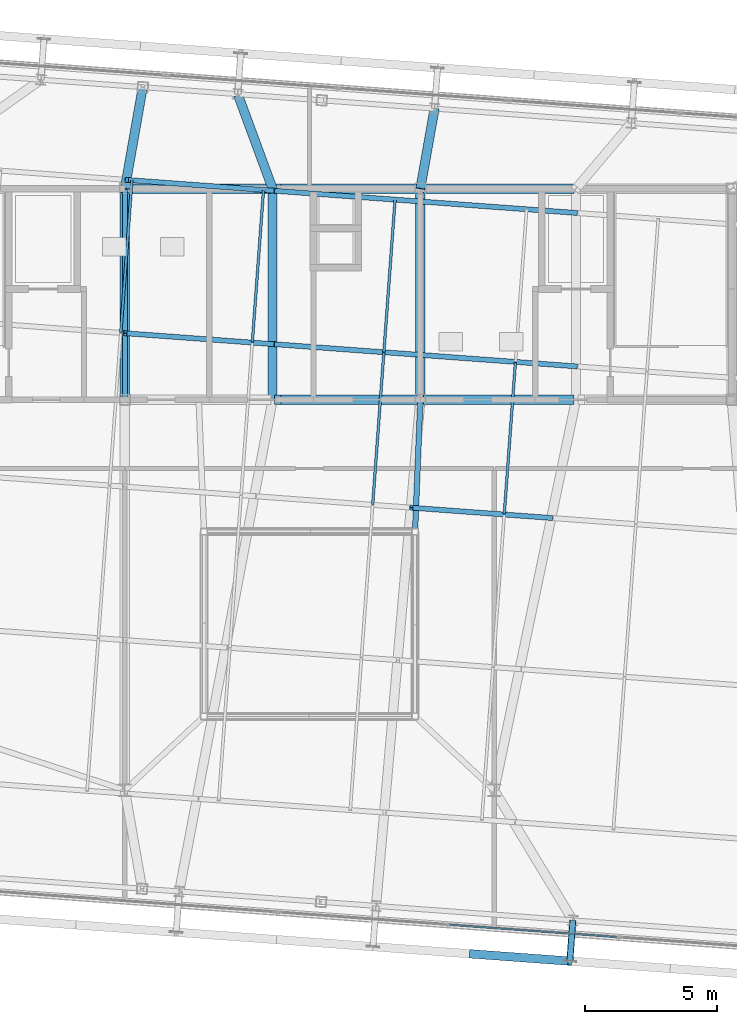
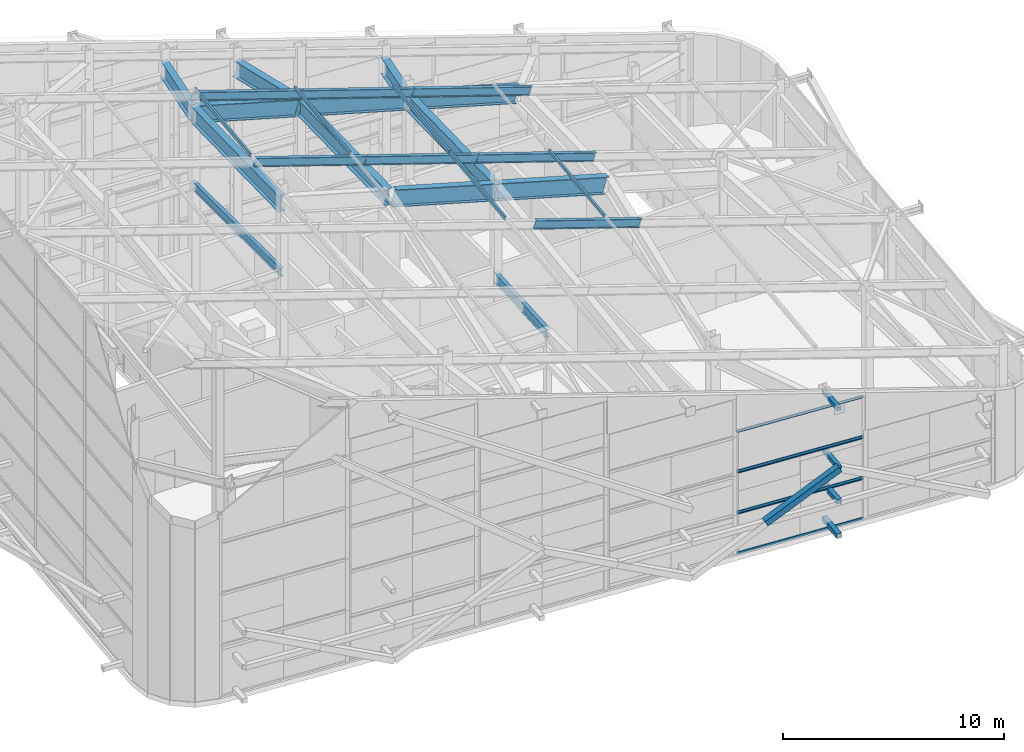
# One storey, part 19 of 56: 23 members, 13 beams, 3 elements without a shape of their own.
"""IFC4 building model written with IfcOpenShell, lengths in metres."""

from ifc_helpers import new_model, si_unit, direction, frame, origin, origin_2d, place, context, subcontext, project, spatial, hollow_rectangle, i_section, extrude, source, transform, mapped, material, layer, layer_set, material_profile, profile_set, type_object, element, aggregate, save


model = new_model("IFC4")

# Units and contexts
model_context = context("Model", 3, precision=1e-05, world=origin(), true_north=direction((0.0, 1.0)))
body_context = subcontext(model_context, "Body", "Model", "MODEL_VIEW")
ifc_project = project(units=[si_unit("LENGTHUNIT", "METRE"), si_unit("AREAUNIT", "SQUARE_METRE"), si_unit("VOLUMEUNIT", "CUBIC_METRE"), si_unit("PLANEANGLEUNIT", "RADIAN"), si_unit("MASSUNIT", "GRAM", prefix="KILO")], contexts=[model_context])

# Site, building, storey
site_placement = place(None, origin())
site = spatial("IfcSite", under=ifc_project, at=site_placement, CompositionType="ELEMENT")
building_placement = place(site_placement, origin())
building = spatial("IfcBuilding", under=site, at=building_placement, Name="Taldren Reach Tower", CompositionType="ELEMENT")
storey_placement = place(building_placement, frame((0.0, 0.0, 253.050048828125)))
storey = spatial("IfcBuildingStorey", under=building, at=storey_placement, Name="L77", CompositionType="ELEMENT", Elevation=253.050048828125)

# Beam
ifc_material_1 = material(Name="Steel Gr 350 (350PLUS)", Category="steel")
ifc_material_profile_1 = material_profile(ifc_material_1, i_section(OverallWidth=0.19091796875, OverallDepth=0.4599609375, WebThickness=0.010009765625, FlangeThickness=0.01611328125, at=origin_2d()), Name="460UB82.1")
ifc_profile_set_1 = profile_set([ifc_material_profile_1], Name="Steel Gr 350 (350PLUS)")
beam_type_1 = type_object("IfcBeamType", Name="BM-UB460A", PredefinedType="BEAM", material=ifc_profile_set_1)
shared_shape_1 = source(origin(), body_context, "Body", "SweptSolid", [
    extrude(i_section(OverallWidth=0.19091796875, OverallDepth=0.4599609375, WebThickness=0.010009765625, FlangeThickness=0.01611328125, at=origin_2d()), origin(), (0.0, 0.0, 1.0), 8.0),
])
beam_1_placement = place(storey_placement, frame((28.0, 24.0, 7.800048828125), z_axis=(0.0, 1.0, 0.0), x_axis=(-1.0, 0.0, 0.0)))
element("IfcBeam", 1, at=beam_1_placement, inside=storey, type_object=beam_type_1, Name="Crown interior mega-column lateral tie MC-C2-MC-C6", PredefinedType="BEAM", context=body_context, shape_type="MappedRepresentation", body=[
    mapped(shared_shape_1, transform((0.0, 0.0, 0.0), scale=1.0)),
])

# Members
ifc_material_2 = material(Name="Steel Gr 350 (C350L0)", Category="steel")
ifc_material_profile_2 = material_profile(ifc_material_2, hollow_rectangle(XDim=0.25, YDim=0.25, WallThickness=0.010009765625, at=origin_2d()), Name="250x250x10.0SHS")
ifc_profile_set_2 = profile_set([ifc_material_profile_2], Name="Steel Gr 350 (C350L0)")
member_type_1 = type_object("IfcMemberType", Name="MB-POST250", PredefinedType="POST", material=ifc_profile_set_2)
shared_shape_2 = source(origin(), body_context, "Body", "SweptSolid", [
    extrude(hollow_rectangle(XDim=0.25, YDim=0.25, WallThickness=0.010009765625, at=origin_2d()), origin(), (0.0, 0.0, 1.0), 1.550048828125),
])
for number, where, z_axis, x_axis, name in (
    (2, (44.980224609375, 4.26904296875, 0.219970703125), (-0.07323929162, -0.997314396849, 0.0), (0.997314396849, -0.07323929162, 0.0), "Exoskeleton base diaphragm tie strut B5-S5 L77"),
    (3, (44.980224609375, 4.26904296875, 2.10986328125), (-0.07323929162, -0.997314396849, 0.0), (0.997314396849, -0.07323929162, 0.0), "Exoskeleton mid-tier diaphragm tie B5-S5 L77"),
):
    element("IfcMember", number, at=place(storey_placement, frame(where, z_axis=z_axis, x_axis=x_axis)), inside=storey, type_object=member_type_1, Name=name, PredefinedType="POST", context=body_context, shape_type="MappedRepresentation", body=[
        mapped(shared_shape_2, transform((0.0, 0.0, 0.0), scale=1.0)),
    ])
ifc_material_3 = material(Name="Steel Gr 450 (C450L0)", Category="steel")
ifc_material_profile_3 = material_profile(ifc_material_3, hollow_rectangle(XDim=0.219970703125, YDim=0.219970703125, WallThickness=0.00830078125, at=origin_2d()), Name="220x220x8.2SHS")
ifc_profile_set_3 = profile_set([ifc_material_profile_3], Name="Steel Gr 450 (C450L0)")
member_type_2 = type_object("IfcMemberType", Name="MB-TIE219", PredefinedType="STRUT", material=ifc_profile_set_3)
shared_shape_3 = source(origin(), body_context, "Body", "SweptSolid", [
    extrude(hollow_rectangle(XDim=0.219970703125, YDim=0.219970703125, WallThickness=0.00830078125, at=origin_2d()), origin(), (0.0, 0.0, 1.0), 1.550048828125),
])
for number, where, z_axis, x_axis, name in (
    (4, (44.980224609375, 4.26904296875, 7.233642578125), (-0.07323929162, -0.997314396849, 0.0), (0.997314396849, -0.07323929162, 0.0), "Exoskeleton diaphragm tie strut B5-S5 L77"),
    (5, (44.980224609375, 4.26904296875, 4.0), (-0.07323929162, -0.997314396849, 0.0), (0.997314396849, -0.07323929162, 0.0), "Crown exoskeleton mid-tier tie strut B5-S5"),
):
    element("IfcMember", number, at=place(storey_placement, frame(where, z_axis=z_axis, x_axis=x_axis)), inside=storey, type_object=member_type_2, Name=name, PredefinedType="STRUT", context=body_context, shape_type="MappedRepresentation", body=[
        mapped(shared_shape_3, transform((0.0, 0.0, 0.0), scale=1.0)),
    ])

# Beams
ifc_material_profile_4 = material_profile(ifc_material_1, i_section(OverallWidth=0.35009765625, OverallDepth=0.916015625, WebThickness=0.013916015625, FlangeThickness=0.028076171875, at=origin_2d()), Name="900WB257")
ifc_profile_set_4 = profile_set([ifc_material_profile_4], Name="Steel Gr 350 (350PLUS)")
beam_type_2 = type_object("IfcBeamType", Name="BM-WB900", PredefinedType="BEAM", material=ifc_profile_set_4)
shared_shape_4 = source(origin(), body_context, "Body", "SweptSolid", [
    extrude(i_section(OverallWidth=0.35009765625, OverallDepth=0.916015625, WebThickness=0.013916015625, FlangeThickness=0.028076171875, at=origin_2d()), origin(), (0.0, 0.0, 1.0), 8.001708984375),
])
for number, where, z_axis, x_axis, name in (
    (6, (28.0, 24.0, 11.600830078125), (0.0, 0.999779654873, 0.020991467363), (-1.0, 0.0, 0.0), "Crown transverse portal girder PF2-3"),
    (7, (33.60009765625, 24.0, 10.0), (0.0, 0.999780294735, 0.020960969924), (-1.0, 0.0, 0.0), "Crown transverse portal girder PF3-2"),
    (8, (39.199951171875, 24.0, 8.39892578125), (0.0, 0.999779654873, 0.020991467363), (-1.0, 0.0, 0.0), "Crown transverse portal girder PF4-2"),
):
    element("IfcBeam", number, at=place(storey_placement, frame(where, z_axis=z_axis, x_axis=x_axis)), inside=storey, type_object=beam_type_2, Name=name, PredefinedType="BEAM", context=body_context, shape_type="MappedRepresentation", body=[
        mapped(shared_shape_4, transform((0.0, 0.0, 0.0), scale=1.0)),
    ])
shared_shape_5 = source(origin(), body_context, "Body", "SweptSolid", [
    extrude(i_section(OverallWidth=0.35009765625, OverallDepth=0.916015625, WebThickness=0.013916015625, FlangeThickness=0.028076171875, at=origin_2d()), origin(), (0.0, 0.0, 1.0), 3.90869140625),
])
beam_2_placement = place(storey_placement, frame((28.0, 32.0, 11.768798828125), z_axis=(0.173762220121, 0.984361103201, -0.02898118984), x_axis=(-0.984774750843, 0.173835238379, 0.0)))
element("IfcBeam", 9, at=beam_2_placement, inside=storey, type_object=beam_type_2, Name="Crown transverse portal girder PF2-4", PredefinedType="BEAM", context=body_context, shape_type="MappedRepresentation", body=[
    mapped(shared_shape_5, transform((0.0, 0.0, 0.0), scale=1.0)),
])
shared_shape_6 = source(origin(), body_context, "Body", "SweptSolid", [
    extrude(i_section(OverallWidth=0.35009765625, OverallDepth=0.916015625, WebThickness=0.013916015625, FlangeThickness=0.028076171875, at=origin_2d()), origin(), (0.0, 0.0, 1.0), 3.845703125),
])
beam_3_placement = place(storey_placement, frame((33.60009765625, 32.0, 10.167724609375), z_axis=(-0.343393872145, 0.93177886143, 0.117765877765), x_axis=(-0.938308184136, -0.34580016134, 0.0)))
element("IfcBeam", 10, at=beam_3_placement, inside=storey, type_object=beam_type_2, Name="Crown transverse portal girder PF3-3", PredefinedType="BEAM", context=body_context, shape_type="MappedRepresentation", body=[
    mapped(shared_shape_6, transform((0.0, 0.0, 0.0), scale=1.0)),
])
shared_shape_7 = source(origin(), body_context, "Body", "SweptSolid", [
    extrude(i_section(OverallWidth=0.35009765625, OverallDepth=0.916015625, WebThickness=0.013916015625, FlangeThickness=0.028076171875, at=origin_2d()), origin(), (0.0, 0.0, 1.0), 3.084228515625),
])
beam_4_placement = place(storey_placement, frame((39.199951171875, 32.0, 8.56689453125), z_axis=(0.174933971784, 0.984142113661, -0.02936674368), x_axis=(-0.984566753191, 0.17500945263, 0.0)))
element("IfcBeam", 11, at=beam_4_placement, inside=storey, type_object=beam_type_2, Name="Crown transverse portal girder PF4-3", PredefinedType="BEAM", context=body_context, shape_type="MappedRepresentation", body=[
    mapped(shared_shape_7, transform((0.0, 0.0, 0.0), scale=1.0)),
])
shared_shape_8 = source(origin(), body_context, "Body", "SweptSolid", [
    extrude(i_section(OverallWidth=0.35009765625, OverallDepth=0.916015625, WebThickness=0.013916015625, FlangeThickness=0.028076171875, at=origin_2d()), origin(), (0.0, 0.0, 1.0), 5.62158203125),
])
for number, where, z_axis, x_axis, name in (
    (12, (33.794921875, 24.0, 9.944091796875), (0.961482965838, 0.0, -0.274864523727), (0.0, 1.0, 0.0), "Crown collar portal girder C23-E"),
    (13, (28.0, 32.0, 11.768798828125), (0.961482965838, 0.0, -0.274864523727), (0.0, 1.0, 0.0), "Crown collar portal girder C67-W"),
    (14, (33.794921875, 32.0, 10.112060546875), (0.961482965838, 0.0, -0.274864523727), (0.0, 1.0, 0.0), "Crown collar portal girder C67-E"),
):
    element("IfcBeam", number, at=place(storey_placement, frame(where, z_axis=z_axis, x_axis=x_axis)), inside=storey, type_object=beam_type_2, Name=name, PredefinedType="BEAM", context=body_context, shape_type="MappedRepresentation", body=[
        mapped(shared_shape_8, transform((0.0, 0.0, 0.0), scale=1.0)),
    ])
shared_shape_9 = source(origin(), body_context, "Body", "SweptSolid", [
    extrude(i_section(OverallWidth=0.35009765625, OverallDepth=0.916015625, WebThickness=0.013916015625, FlangeThickness=0.028076171875, at=origin_2d()), origin(), (0.0, 0.0, 1.0), 5.93359375),
])
for number, where, z_axis, x_axis, name in (
    (15, (39.199951171875, 24.0, 8.39892578125), (0.961475801025, 0.0, -0.274889585187), (0.0, 1.0, 0.0), "Crown collar portal girder C34-W"),
    (16, (39.199951171875, 32.0, 8.56689453125), (0.961475801025, 0.0, -0.274889585187), (0.0, 1.0, 0.0), "Crown collar portal girder C78-W"),
):
    element("IfcBeam", number, at=place(storey_placement, frame(where, z_axis=z_axis, x_axis=x_axis)), inside=storey, type_object=beam_type_2, Name=name, PredefinedType="BEAM", context=body_context, shape_type="MappedRepresentation", body=[
        mapped(shared_shape_9, transform((0.0, 0.0, 0.0), scale=1.0)),
    ])

# Members
ifc_material_profile_5 = material_profile(ifc_material_1, i_section(OverallWidth=0.19091796875, OverallDepth=0.4599609375, WebThickness=0.010009765625, FlangeThickness=0.01611328125, at=origin_2d()), Name="460UB82.1")
ifc_profile_set_5 = profile_set([ifc_material_profile_5], Name="Steel Gr 350 (350PLUS)")
member_type_3 = type_object("IfcMemberType", Name="MB-RAF460", PredefinedType="RAFTER", material=ifc_profile_set_5)
shared_shape_10 = source(origin(), body_context, "Body", "SweptSolid", [
    extrude(i_section(OverallWidth=0.19091796875, OverallDepth=0.4599609375, WebThickness=0.010009765625, FlangeThickness=0.01611328125, at=origin_2d()), origin(), (0.0, 0.0, 1.0), 5.517333984375),
])
member_1_placement = place(storey_placement, frame((44.146484375, 19.52099609375, 7.61767578125), z_axis=(-0.958696197146, 0.070399965368, 0.275582014023), x_axis=(-0.073235835373, -0.997314650658, 0.0)))
element("IfcMember", 17, at=member_1_placement, inside=storey, type_object=member_type_3, Name="Crown sloped rafter RF-3.3", PredefinedType="RAFTER", context=body_context, shape_type="MappedRepresentation", body=[
    mapped(shared_shape_10, transform((0.0, 0.0, 0.0), scale=1.0)),
])
shared_shape_11 = source(origin(), body_context, "Body", "SweptSolid", [
    extrude(i_section(OverallWidth=0.19091796875, OverallDepth=0.4599609375, WebThickness=0.010009765625, FlangeThickness=0.01611328125, at=origin_2d()), origin(), (0.0, 0.0, 1.0), 6.123046875),
])
member_2_placement = place(storey_placement, frame((45.0849609375, 31.083251953125, 7.59228515625), z_axis=(-0.958701167638, 0.070415332809, 0.275560795606), x_axis=(-0.073251358334, -0.997313510639, 0.0)))
element("IfcMember", 18, at=member_2_placement, inside=storey, type_object=member_type_3, Name="Crown sloped rafter RF-5.3", PredefinedType="RAFTER", context=body_context, shape_type="MappedRepresentation", body=[
    mapped(shared_shape_11, transform((0.0, 0.0, 0.0), scale=1.0)),
])
shared_shape_12 = source(origin(), body_context, "Body", "SweptSolid", [
    extrude(i_section(OverallWidth=0.19091796875, OverallDepth=0.4599609375, WebThickness=0.010009765625, FlangeThickness=0.01611328125, at=origin_2d()), origin(), (0.0, 0.0, 1.0), 6.122802734375),
])
member_3_placement = place(storey_placement, frame((45.0849609375, 25.267578125, 7.47021484375), z_axis=(-0.958697942061, 0.070418024609, 0.275571329601), x_axis=(-0.073254388667, -0.99731328806, 0.0)))
element("IfcMember", 19, at=member_3_placement, inside=storey, type_object=member_type_3, Name="Crown sloped rafter RF-4.3", PredefinedType="RAFTER", context=body_context, shape_type="MappedRepresentation", body=[
    mapped(shared_shape_12, transform((0.0, 0.0, 0.0), scale=1.0)),
])
shared_shape_13 = source(origin(), body_context, "Body", "SweptSolid", [
    extrude(i_section(OverallWidth=0.19091796875, OverallDepth=0.4599609375, WebThickness=0.010009765625, FlangeThickness=0.01611328125, at=origin_2d()), origin(), (0.0, 0.0, 1.0), 5.81005859375),
])
for number, where, z_axis, x_axis, name in (
    (20, (39.18505859375, 25.700927734375, 9.166015625), (-0.958700432043, 0.070384537527, 0.275571222149), (-0.073219550413, -0.997315846378, 0.0), "Crown sloped rafter RF-4.4"),
    (21, (33.5849609375, 26.112060546875, 10.775634765625), (-0.958697595755, 0.070426349791, 0.27557040688), (-0.073263029018, -0.997312653374, 0.0), "Crown sloped rafter RF-4.5"),
    (22, (39.18505859375, 31.5166015625, 9.2880859375), (-0.958700432043, 0.070384537527, 0.275571222149), (-0.073219550413, -0.997315846378, 0.0), "Crown sloped rafter RF-5.4"),
):
    element("IfcMember", number, at=place(storey_placement, frame(where, z_axis=z_axis, x_axis=x_axis)), inside=storey, type_object=member_type_3, Name=name, PredefinedType="RAFTER", context=body_context, shape_type="MappedRepresentation", body=[
        mapped(shared_shape_13, transform((0.0, 0.0, 0.0), scale=1.0)),
    ])
shared_shape_14 = source(origin(), body_context, "Body", "SweptSolid", [
    extrude(i_section(OverallWidth=0.19091796875, OverallDepth=0.4599609375, WebThickness=0.010009765625, FlangeThickness=0.01611328125, at=origin_2d()), origin(), (0.0, 0.0, 1.0), 5.748779296875),
])
member_4_placement = place(storey_placement, frame((33.5849609375, 31.927734375, 10.897705078125), z_axis=(-0.958695374318, 0.070413614362, 0.275581389384), x_axis=(-0.073250020535, -0.997313608897, 0.0)))
element("IfcMember", 23, at=member_4_placement, inside=storey, type_object=member_type_3, Name="Crown sloped rafter RF-5.5", PredefinedType="RAFTER", context=body_context, shape_type="MappedRepresentation", body=[
    mapped(shared_shape_14, transform((0.0, 0.0, 0.0), scale=1.0)),
])
ifc_material_profile_6 = material_profile(ifc_material_2, hollow_rectangle(XDim=0.10009765625, YDim=0.199951171875, WallThickness=0.006103515625, at=origin_2d()), Name="200x100x6.0RHS")
ifc_profile_set_6 = profile_set([ifc_material_profile_6], Name="Steel Gr 350 (C350L0)")
member_type_4 = type_object("IfcMemberType", Name="MB-PUR200", PredefinedType="PURLIN", material=ifc_profile_set_6)
shared_shape_15 = source(origin(), body_context, "Body", "SweptSolid", [
    extrude(hollow_rectangle(XDim=0.10009765625, YDim=0.199951171875, WallThickness=0.006103515625, at=origin_2d()), origin(), (0.0, 0.0, 1.0), 5.78515625),
])
member_5_placement = place(storey_placement, frame((27.845947265625, 26.548583984375, 12.77587890625), z_axis=(0.073262307813, 0.997312706353, 0.0), x_axis=(-0.997312706353, 0.073262307813, 0.0)))
element("IfcMember", 24, at=member_5_placement, inside=storey, type_object=member_type_4, Name="Crown roof purlin PR-3.4", PredefinedType="PURLIN", context=body_context, shape_type="MappedRepresentation", body=[
    mapped(shared_shape_15, transform((0.0, 0.0, 0.0), scale=1.0)),
])
ifc_material_profile_7 = material_profile(ifc_material_2, hollow_rectangle(XDim=0.10009765625, YDim=0.14990234375, WallThickness=0.0048828125, at=origin_2d()), Name="150x100x5.0RHS")
ifc_profile_set_7 = profile_set([ifc_material_profile_7], Name="Steel Gr 350 (C350L0)")
member_type_5 = type_object("IfcMemberType", Name="MB-PUR150", PredefinedType="PURLIN", material=ifc_profile_set_7)
shared_shape_16 = source(origin(), body_context, "Body", "SweptSolid", [
    extrude(hollow_rectangle(XDim=0.10009765625, YDim=0.14990234375, WallThickness=0.0048828125, at=origin_2d()), origin(), (0.0, 0.0, 1.0), 5.78515625),
])
member_6_placement = place(storey_placement, frame((32.83251953125, 26.182373046875, 11.368408203125), z_axis=(0.073262307813, 0.997312706353, 0.0), x_axis=(-0.997312706353, 0.073262307813, 0.0)))
element("IfcMember", 25, at=member_6_placement, inside=storey, type_object=member_type_5, Name="Crown roof purlin PR-4.4", PredefinedType="PURLIN", context=body_context, shape_type="MappedRepresentation", body=[
    mapped(shared_shape_16, transform((0.0, 0.0, 0.0), scale=1.0)),
])
shared_shape_17 = source(origin(), body_context, "Body", "SweptSolid", [
    extrude(hollow_rectangle(XDim=0.10009765625, YDim=0.199951171875, WallThickness=0.006103515625, at=origin_2d()), origin(), (0.0, 0.0, 1.0), 5.769775390625),
])
member_7_placement = place(storey_placement, frame((37.394287109375, 20.031982421875, 9.9091796875), z_axis=(0.073243558698, 0.997314083481, 0.0), x_axis=(-0.997314083481, 0.073243558698, 0.0)))
element("IfcMember", 26, at=member_7_placement, inside=storey, type_object=member_type_4, Name="Crown roof purlin PR-5.3", PredefinedType="PURLIN", context=body_context, shape_type="MappedRepresentation", body=[
    mapped(shared_shape_17, transform((0.0, 0.0, 0.0), scale=1.0)),
])
shared_shape_18 = source(origin(), body_context, "Body", "SweptSolid", [
    extrude(hollow_rectangle(XDim=0.10009765625, YDim=0.199951171875, WallThickness=0.006103515625, at=origin_2d()), origin(), (0.0, 0.0, 1.0), 5.784912109375),
])
member_8_placement = place(storey_placement, frame((37.819091796875, 25.81640625, 9.9091796875), z_axis=(0.073265391434, 0.997312479827, 0.0), x_axis=(-0.997312479827, 0.073265391434, 0.0)))
element("IfcMember", 27, at=member_8_placement, inside=storey, type_object=member_type_4, Name="Crown roof purlin PR-5.4", PredefinedType="PURLIN", context=body_context, shape_type="MappedRepresentation", body=[
    mapped(shared_shape_18, transform((0.0, 0.0, 0.0), scale=1.0)),
])
shared_shape_19 = source(origin(), body_context, "Body", "SweptSolid", [
    extrude(hollow_rectangle(XDim=0.10009765625, YDim=0.14990234375, WallThickness=0.0048828125, at=origin_2d()), origin(), (0.0, 0.0, 1.0), 5.769775390625),
])
member_9_placement = place(storey_placement, frame((42.380859375, 19.665771484375, 8.501953125), z_axis=(0.073243558698, 0.997314083481, 0.0), x_axis=(-0.997314083481, 0.073243558698, 0.0)))
element("IfcMember", 28, at=member_9_placement, inside=storey, type_object=member_type_5, Name="Crown roof purlin PR-6.3", PredefinedType="PURLIN", context=body_context, shape_type="MappedRepresentation", body=[
    mapped(shared_shape_19, transform((0.0, 0.0, 0.0), scale=1.0)),
])

# Beam
ifc_material_profile_8 = material_profile(ifc_material_1, i_section(OverallWidth=0.208984375, OverallDepth=0.532958984375, WebThickness=0.01025390625, FlangeThickness=0.015625, at=origin_2d()), Name="530UB92.4")
ifc_profile_set_8 = profile_set([ifc_material_profile_8], Name="Steel Gr 350 (350PLUS)")
beam_type_3 = type_object("IfcBeamType", Name="BM-UB530A", PredefinedType="BEAM", material=ifc_profile_set_8)
shared_shape_20 = source(origin(), body_context, "Body", "SweptSolid", [
    extrude(i_section(OverallWidth=0.208984375, OverallDepth=0.532958984375, WebThickness=0.01025390625, FlangeThickness=0.015625, at=origin_2d()), origin(), (0.0, 0.0, 1.0), 5.00390625),
])
beam_5_placement = place(storey_placement, frame((39.199951171875, 24.0, 3.633544921875), z_axis=(-0.039958296109, -0.999201348364, 0.0), x_axis=(0.999201348364, -0.039958296109, 0.0)))
element("IfcBeam", 29, at=beam_5_placement, inside=storey, type_object=beam_type_3, Name="Tuned mass damper tie beam NE", PredefinedType="BEAM", context=body_context, shape_type="MappedRepresentation", body=[
    mapped(shared_shape_20, transform((0.0, 0.0, 0.0), scale=1.0)),
])

# Member
ifc_material_profile_9 = material_profile(ifc_material_3, hollow_rectangle(XDim=0.324951171875, YDim=0.324951171875, WallThickness=0.0126953125, at=origin_2d()), Name="325x325x12.7SHS")
ifc_profile_set_9 = profile_set([ifc_material_profile_9], Name="Steel Gr 450 (C450L0)")
member_type_6 = type_object("IfcMemberType", Name="MB-BR324", PredefinedType="BRACE", material=ifc_profile_set_9)
shared_shape_21 = source(origin(), body_context, "Body", "SweptSolid", [
    extrude(hollow_rectangle(XDim=0.324951171875, YDim=0.324951171875, WallThickness=0.0126953125, at=origin_2d()), origin(), (0.0, 0.0, 1.0), 4.1904296875),
])
member_10_placement = place(storey_placement, frame((41.13671875, 2.9970703125, 2.10986328125), z_axis=(0.890100973194, -0.065368064663, 0.451051298237), x_axis=(0.07324169103, 0.997314220642, 0.0)))
element("IfcMember", 30, at=member_10_placement, inside=storey, type_object=member_type_6, Name="Exoskeleton Diagrid Brace B5-S4 L77", PredefinedType="BRACE", context=body_context, shape_type="MappedRepresentation", body=[
    mapped(shared_shape_21, transform((0.0, 0.0, 0.0), scale=1.0)),
])

# Curtain wall, members
ifc_material_4 = material(Name="Aluminium and Low-E Glass Unitised System", Category="aluminium")
ifc_layer = layer(ifc_material_4, 0.159912109375)
ifc_layer_set = layer_set([ifc_layer], Name="Aluminium and Low-E Glass Unitised System")
curtain_wall_type = type_object("IfcCurtainWallType", Name="CW-SYS-8", PredefinedType="NOTDEFINED", material=ifc_layer_set)
curtain_wall_1_placement = place(storey_placement, origin())
curtain_wall_1 = element("IfcCurtainWall", 31, at=curtain_wall_1_placement, inside=storey, type_object=curtain_wall_type, Name="Unitised curtain wall CW8-L77-S5", PredefinedType="NOTDEFINED")
ifc_material_5 = material(Name="Anodised Aluminium 6063-T6", Category="aluminium")
ifc_material_profile_10 = material_profile(ifc_material_5, hollow_rectangle(XDim=0.06005859375, YDim=0.135009765625, WallThickness=0.00341796875, at=origin_2d()), Name="ALU-135x60x3.5RHS")
ifc_profile_set_10 = profile_set([ifc_material_profile_10], Name="Anodised Aluminium 6063-T6")
member_type_7 = type_object("IfcMemberType", Name="CW-TRN-150", PredefinedType="USERDEFINED", material=ifc_profile_set_10)
shared_shape_22 = source(origin(), body_context, "Body", "SweptSolid", [
    extrude(hollow_rectangle(XDim=0.06005859375, YDim=0.135009765625, WallThickness=0.00341796875, at=origin_2d()), origin(), (0.0, 0.0, 1.0), 6.349853515625),
])
member_11_placement = place(storey_placement, frame((40.310546875, 4.1005859375, 0.030029296875), z_axis=(0.997314030932, -0.073244274217, 0.0), x_axis=(0.073244274217, 0.997314030932, 0.0)))
member_11 = element("IfcMember", 32, at=member_11_placement, type_object=member_type_7, Name="CW-8 transom 1.1", ObjectType="TRANSOM", PredefinedType="USERDEFINED", context=body_context, shape_type="MappedRepresentation", body=[
    mapped(shared_shape_22, transform((0.0, 0.0, 0.0), scale=1.0)),
])
member_12_placement = place(storey_placement, frame((40.310546875, 4.1005859375, 2.232666015625), z_axis=(0.997314030932, -0.073244274217, 0.0), x_axis=(0.073244274217, 0.997314030932, 0.0)))
member_12 = element("IfcMember", 33, at=member_12_placement, type_object=member_type_7, Name="CW-8 transom 1.2", ObjectType="TRANSOM", PredefinedType="USERDEFINED", context=body_context, shape_type="MappedRepresentation", body=[
    mapped(shared_shape_22, transform((0.0, 0.0, 0.0), scale=1.0)),
])
aggregate(curtain_wall_1, [member_11, member_12])

curtain_wall_2_placement = place(storey_placement, origin())
curtain_wall_2 = element("IfcCurtainWall", 34, at=curtain_wall_2_placement, inside=storey, type_object=curtain_wall_type, Name="Unitised curtain wall CW8-L77-S5-T2", PredefinedType="NOTDEFINED")
member_13_placement = place(storey_placement, frame((40.310546875, 4.1005859375, 2.292724609375), z_axis=(0.997314030932, -0.073244274217, 0.0), x_axis=(0.073244274217, 0.997314030932, 0.0)))
member_13 = element("IfcMember", 35, at=member_13_placement, type_object=member_type_7, Name="CW-8 transom 1.1", ObjectType="TRANSOM", PredefinedType="USERDEFINED", context=body_context, shape_type="MappedRepresentation", body=[
    mapped(shared_shape_22, transform((0.0, 0.0, 0.0), scale=1.0)),
])
member_14_placement = place(storey_placement, frame((40.310546875, 4.1005859375, 4.495361328125), z_axis=(0.997314030932, -0.073244274217, 0.0), x_axis=(0.073244274217, 0.997314030932, 0.0)))
member_14 = element("IfcMember", 36, at=member_14_placement, type_object=member_type_7, Name="CW-8 transom 1.2", ObjectType="TRANSOM", PredefinedType="USERDEFINED", context=body_context, shape_type="MappedRepresentation", body=[
    mapped(shared_shape_22, transform((0.0, 0.0, 0.0), scale=1.0)),
])
aggregate(curtain_wall_2, [member_13, member_14])

curtain_wall_3_placement = place(storey_placement, origin())
curtain_wall_3 = element("IfcCurtainWall", 37, at=curtain_wall_3_placement, inside=storey, type_object=curtain_wall_type, Name="Unitised curtain wall CW8-L77-S5-T3", PredefinedType="NOTDEFINED")
member_15_placement = place(storey_placement, frame((40.310546875, 4.1005859375, 4.555419921875), z_axis=(0.997314030932, -0.073244274217, 0.0), x_axis=(0.073244274217, 0.997314030932, 0.0)))
member_15 = element("IfcMember", 38, at=member_15_placement, type_object=member_type_7, Name="CW-8 transom 1.1", ObjectType="TRANSOM", PredefinedType="USERDEFINED", context=body_context, shape_type="MappedRepresentation", body=[
    mapped(shared_shape_22, transform((0.0, 0.0, 0.0), scale=1.0)),
])
member_16_placement = place(storey_placement, frame((40.310546875, 4.1005859375, 6.75830078125), z_axis=(0.997314030932, -0.073244274217, 0.0), x_axis=(0.073244274217, 0.997314030932, 0.0)))
member_16 = element("IfcMember", 39, at=member_16_placement, type_object=member_type_7, Name="CW-8 transom 1.2", ObjectType="TRANSOM", PredefinedType="USERDEFINED", context=body_context, shape_type="MappedRepresentation", body=[
    mapped(shared_shape_22, transform((0.0, 0.0, 0.0), scale=1.0)),
])
aggregate(curtain_wall_3, [member_15, member_16])

save(model, "model.ifc")
